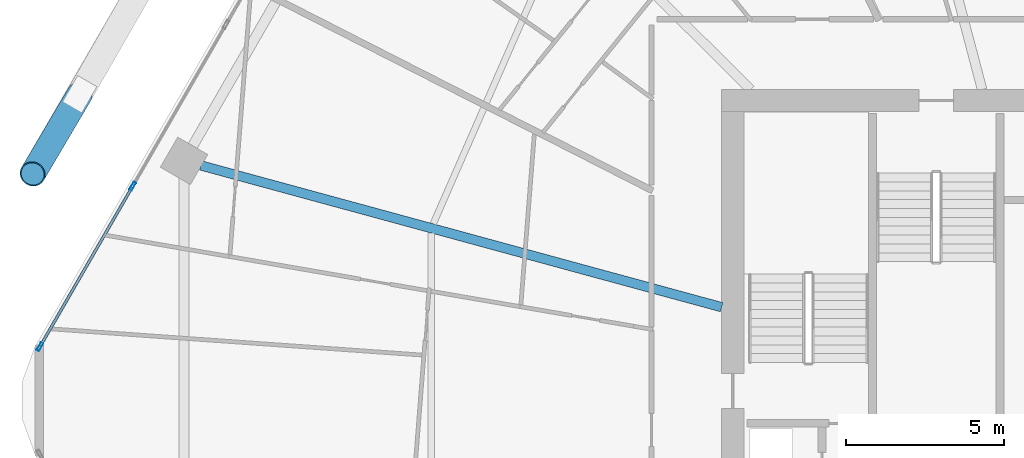
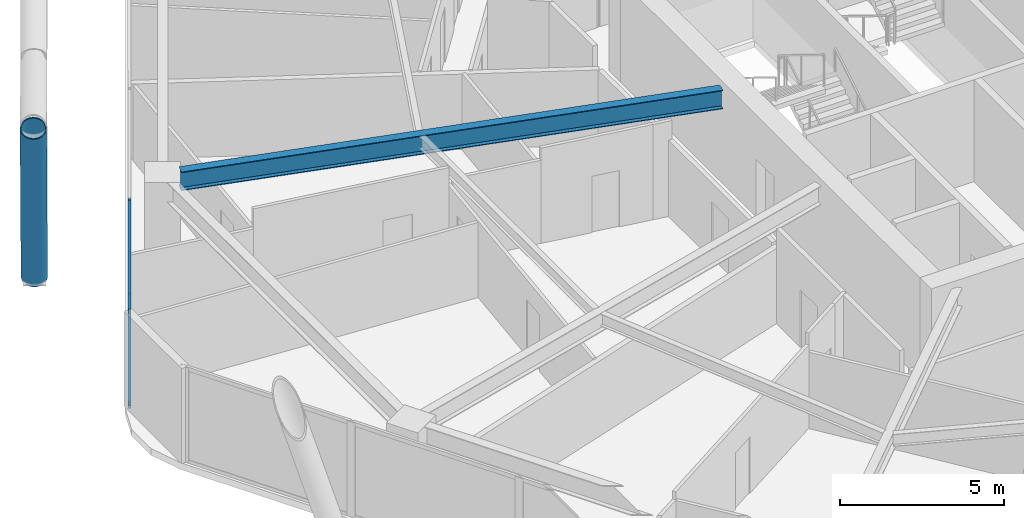
# One storey, part 14 of 35: 5 members, 1 beam, 1 element without a shape of its own.
"""IFC4 building model written with IfcOpenShell, lengths in metres."""

from ifc_helpers import new_model, si_unit, direction, frame, origin, origin_2d, place, context, subcontext, project, spatial, hollow_rectangle, hollow_circle, i_section, extrude, material, material_profile, profile_set, type_object, element, aggregate, save


model = new_model("IFC4")

# Units and contexts
model_context = context("Model", 3, precision=1e-05, world=origin(), true_north=direction((0.0, 1.0)))
body_context = subcontext(model_context, "Body", "Model", "MODEL_VIEW")
ifc_project = project(units=[si_unit("LENGTHUNIT", "METRE"), si_unit("AREAUNIT", "SQUARE_METRE"), si_unit("VOLUMEUNIT", "CUBIC_METRE"), si_unit("PLANEANGLEUNIT", "RADIAN"), si_unit("MASSUNIT", "GRAM", prefix="KILO")], contexts=[model_context])

# Site, building, storey
site_placement = place(None, origin())
site = spatial("IfcSite", under=ifc_project, at=site_placement, CompositionType="ELEMENT")
building_placement = place(site_placement, origin())
building = spatial("IfcBuilding", under=site, at=building_placement, Name="Zuhravey Tower", CompositionType="ELEMENT")
storey_placement = place(building_placement, frame((0.0, 0.0, 115.199951171875)))
storey = spatial("IfcBuildingStorey", under=building, at=storey_placement, Name="L28", CompositionType="ELEMENT", Elevation=115.199951171875)

# Curtain wall, members
ifc_material_1 = material(Name="Thermally broken anodised aluminium", Category="aluminium")
curtain_wall_type = type_object("IfcCurtainWallType", Name="Zone 1-2 Residential Curtain Wall CW3", PredefinedType="NOTDEFINED", material=ifc_material_1)
curtain_wall_placement = place(storey_placement, origin())
curtain_wall = element("IfcCurtainWall", 1, at=curtain_wall_placement, inside=storey, type_object=curtain_wall_type, Name="L28 CW3 CW-L28-F3-1", PredefinedType="NOTDEFINED")
ifc_material_2 = material(Name="Anodised aluminium", Category="aluminium")
ifc_material_profile_1 = material_profile(ifc_material_2, hollow_rectangle(XDim=0.090087890625, YDim=0.284912109375, WallThickness=0.0048828125, at=origin_2d()), Name="ALU-RHS-90x285x5")
ifc_profile_set_1 = profile_set([ifc_material_profile_1], Name="Anodised aluminium")
member_type_1 = type_object("IfcMemberType", Name="Curtain-Wall Mullion 90x180", PredefinedType="MULLION", material=ifc_profile_set_1)
member_1_placement = place(storey_placement, frame((3.5439453125, 33.701416015625, 0.0), z_axis=(0.0, 0.0, 1.0), x_axis=(-0.86602552265, 0.499999794119, 0.0)))
member_1 = element("IfcMember", 2, at=member_1_placement, type_object=member_type_1, Name="CW3 mullion 1", PredefinedType="MULLION", context=body_context, shape_type="SweptSolid", body=[
    extrude(hollow_rectangle(XDim=0.090087890625, YDim=0.284912109375, WallThickness=0.0048828125, at=origin_2d()), origin(), (0.0, 0.0, 1.0), 3.550048828125),
])
member_2_placement = place(storey_placement, frame((6.4814453125, 38.789306640625, 0.0), z_axis=(0.0, 0.0, 1.0), x_axis=(-0.86602552265, 0.499999794119, 0.0)))
member_2 = element("IfcMember", 3, at=member_2_placement, type_object=member_type_1, Name="CW3 mullion 2", PredefinedType="MULLION", context=body_context, shape_type="SweptSolid", body=[
    extrude(hollow_rectangle(XDim=0.090087890625, YDim=0.284912109375, WallThickness=0.0048828125, at=origin_2d()), origin(), (0.0, 0.0, 1.0), 3.550048828125),
])
ifc_material_profile_2 = material_profile(ifc_material_2, hollow_rectangle(XDim=0.090087890625, YDim=0.14990234375, WallThickness=0.0048828125, at=origin_2d()), Name="ALU-RHS-90x150x5")
ifc_profile_set_2 = profile_set([ifc_material_profile_2], Name="Anodised aluminium")
member_type_2 = type_object("IfcMemberType", Name="Curtain-Wall Transom 90x150", PredefinedType="USERDEFINED", material=ifc_profile_set_2)
member_3_placement = place(storey_placement, frame((3.56640625, 33.740478515625, 0.045166015625), z_axis=(0.500024450573, 0.866011286779, 0.0), x_axis=(-0.866011286779, 0.500024450573, 0.0)))
member_3 = element("IfcMember", 4, at=member_3_placement, type_object=member_type_2, Name="CW3 transom 1.1", ObjectType="TRANSOM", PredefinedType="USERDEFINED", context=body_context, shape_type="SweptSolid", body=[
    extrude(hollow_rectangle(XDim=0.090087890625, YDim=0.14990234375, WallThickness=0.0048828125, at=origin_2d()), origin(), (0.0, 0.0, 1.0), 5.784912109375),
])
member_4_placement = place(storey_placement, frame((3.56640625, 33.740478515625, 3.505126953125), z_axis=(0.500024450573, 0.866011286779, 0.0), x_axis=(-0.866011286779, 0.500024450573, 0.0)))
member_4 = element("IfcMember", 5, at=member_4_placement, type_object=member_type_2, Name="CW3 transom 1.2", ObjectType="TRANSOM", PredefinedType="USERDEFINED", context=body_context, shape_type="SweptSolid", body=[
    extrude(hollow_rectangle(XDim=0.090087890625, YDim=0.14990234375, WallThickness=0.0048828125, at=origin_2d()), origin(), (0.0, 0.0, 1.0), 5.784912109375),
])
aggregate(curtain_wall, [member_1, member_2, member_3, member_4])

# Member
ifc_material_3 = material(Name="Steel SM460", Category="steel")
ifc_material_profile_3 = material_profile(ifc_material_3, hollow_circle(Radius=0.406494140625, WallThickness=0.035888671875, at=origin_2d()), Name="CHS-812.8x36")
ifc_profile_set_3 = profile_set([ifc_material_profile_3], Name="Steel SM460")
member_type_3 = type_object("IfcMemberType", Name="Exoskeleton Zone 1 Diagrid CHS813x36", PredefinedType="BRACE", material=ifc_profile_set_3)
member_5_placement = place(storey_placement, frame((4.7998046875, 41.69677734375, -0.44189453125), z_axis=(-0.183737442599, -0.31088929694, 0.932517236964), x_axis=(0.860889982927, -0.508791152926, 0.0)))
element("IfcMember", 6, at=member_5_placement, inside=storey, type_object=member_type_3, Name="L28 Face 3 Diagrid Brace 4", PredefinedType="BRACE", context=body_context, shape_type="SweptSolid", body=[
    extrude(hollow_circle(Radius=0.406494140625, WallThickness=0.035888671875, at=origin_2d()), origin(), (0.0, 0.0, 1.0), 8.102783203125),
])

# Beam
ifc_material_4 = material(Name="Steel SM355", Category="steel")
ifc_material_profile_4 = material_profile(ifc_material_4, i_section(OverallWidth=0.300048828125, OverallDepth=0.699951171875, WebThickness=0.012939453125, FlangeThickness=0.02392578125, at=origin_2d()), Name="H-700x300x13x24")
ifc_profile_set_4 = profile_set([ifc_material_profile_4], Name="Steel SM355")
beam_type = type_object("IfcBeamType", Name="Radial Primary Girder H700x300", PredefinedType="BEAM", material=ifc_profile_set_4)
beam_placement = place(storey_placement, frame((25.14697265625, 34.954345703125, 3.199951171875), z_axis=(-0.964893166225, 0.262642680791, 0.0), x_axis=(-0.262642680791, -0.964893166225, 0.0)))
element("IfcBeam", 7, at=beam_placement, inside=storey, type_object=beam_type, Name="L28 RG1 BM-L28-RAD-06", PredefinedType="BEAM", context=body_context, shape_type="SweptSolid", body=[
    extrude(i_section(OverallWidth=0.300048828125, OverallDepth=0.699951171875, WebThickness=0.012939453125, FlangeThickness=0.02392578125, at=origin_2d()), origin(), (0.0, 0.0, 1.0), 17.102783203125),
])

save(model, "model.ifc")
